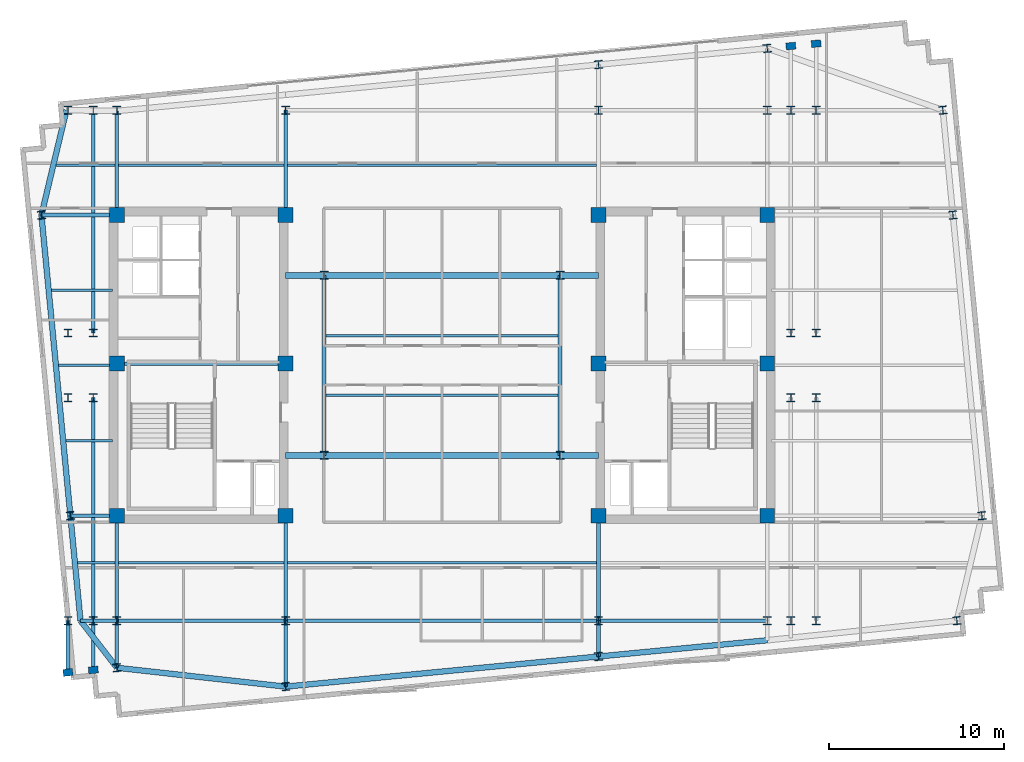
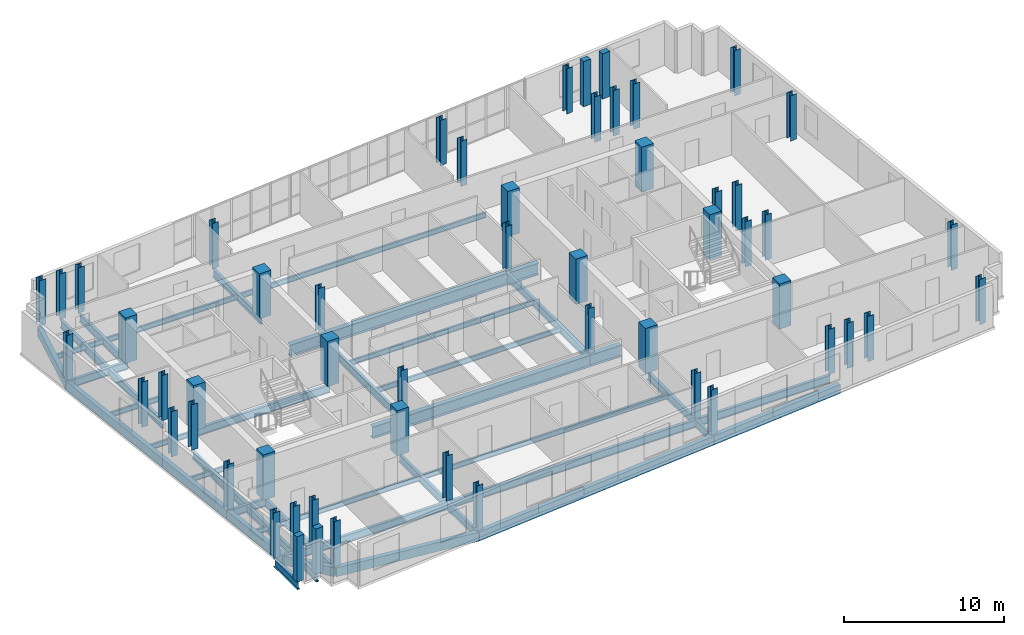
# One storey, part 1 of 11: 55 columns, 45 beams.
"""IFC4 building model written with IfcOpenShell, lengths in metres."""

import ifcopenshell
import ifcopenshell.guid

model = None  # the IFC model being written
_history = None  # IfcOwnerHistory: only IFC2X3 demands one
_inside = {}  # id of a spatial element -> (the spatial element, [elements in it])
_under = {}  # id of a project, library or spatial element -> (it, [spatial elements below it])
_declared = {}  # id of a project -> (the project, [libraries it declares])
_typed = {}  # id of a type object -> (the type object, [elements of that type])
_made_of = {}  # id of a material, layer set ... -> (it, [elements and type objects made of it])


def new_model(schema):
    """Start an empty IFC model of exactly this schema.

    Asked for "IFC4X3", IfcOpenShell would pick the latest addendum, in which some entities
    have other attributes; the version numbers below select the first issue.
    IFC2X3 requires an IfcOwnerHistory on every rooted entity: one is made here for all.
    """
    global model, _history
    if schema == "IFC4X3":
        model = ifcopenshell.file(schema_version=(4, 3, 0, 0))
    else:
        model = ifcopenshell.file(schema=schema)
    _inside.clear()
    _under.clear()
    _declared.clear()
    _typed.clear()
    _made_of.clear()
    _history = None
    if model.schema == "IFC2X3":
        org = make("IfcOrganization", Name="unknown")
        user = make(
            "IfcPersonAndOrganization",
            ThePerson=make("IfcPerson", FamilyName="unknown"),
            TheOrganization=org,
        )
        app = make(
            "IfcApplication",
            ApplicationDeveloper=org,
            Version="unknown",
            ApplicationFullName="unknown",
            ApplicationIdentifier="unknown",
        )
        _history = make(
            "IfcOwnerHistory",
            OwningUser=user,
            OwningApplication=app,
            ChangeAction="ADDED",
            CreationDate=0,
        )
    return model


def make(cls, **values):
    """One entity of the class cls with the attributes given. An attribute that is None is left unset."""
    return model.create_entity(
        cls, **{name: value for name, value in values.items() if value is not None}
    )


def rooted(cls, **values):
    """An entity with a GlobalId (a new one), such as an element, a storey or a relation."""
    return make(cls, GlobalId=ifcopenshell.guid.new(), OwnerHistory=_history, **values)


def si_unit(unit_type, name, prefix=None):
    """IfcSIUnit, for example si_unit("LENGTHUNIT", "METRE", prefix="MILLI")."""
    return make("IfcSIUnit", UnitType=unit_type, Prefix=prefix, Name=name)


def assignment(units):
    """IfcUnitAssignment: the units of a project."""
    return None if units is None else make("IfcUnitAssignment", Units=units)


def point(xyz):
    """IfcCartesianPoint."""
    return None if xyz is None else make("IfcCartesianPoint", Coordinates=xyz)


def direction(xyz):
    """IfcDirection."""
    return None if xyz is None else make("IfcDirection", DirectionRatios=xyz)


def frame(location, z_axis=None, x_axis=None):
    """IfcAxis2Placement3D, a coordinate frame: its origin and axes. An axis left out is left unset."""
    return make(
        "IfcAxis2Placement3D",
        Location=point(location),
        Axis=direction(z_axis),
        RefDirection=direction(x_axis),
    )


def frame_2d(location, x_axis=None):
    """IfcAxis2Placement2D, a coordinate frame in the plane: its origin and x axis."""
    return make(
        "IfcAxis2Placement2D", Location=point(location), RefDirection=direction(x_axis)
    )


def origin():
    """The frame at (0, 0, 0) with its axes left unset."""
    return frame((0.0, 0.0, 0.0))


def origin_2d():
    """The frame at (0, 0) in the plane with its x axis left unset."""
    return frame_2d((0.0, 0.0))


def place(relative_to, where):
    """IfcLocalPlacement: puts the frame where relative to a parent placement (None: the world)."""
    return make(
        "IfcLocalPlacement", PlacementRelTo=relative_to, RelativePlacement=where
    )


def context(
    kind, dimensions, precision=None, world=None, true_north=None, identifier=None
):
    """IfcGeometricRepresentationContext, for example the 3D "Model" context."""
    return make(
        "IfcGeometricRepresentationContext",
        ContextIdentifier=identifier,
        ContextType=kind,
        CoordinateSpaceDimension=dimensions,
        Precision=precision,
        WorldCoordinateSystem=world,
        TrueNorth=true_north,
    )


def subcontext(parent, identifier, kind, view, scale=None):
    """IfcGeometricRepresentationSubContext, for example "Body" below "Model"."""
    return make(
        "IfcGeometricRepresentationSubContext",
        ContextIdentifier=identifier,
        ContextType=kind,
        ParentContext=parent,
        TargetScale=scale,
        TargetView=view,
    )


def project(units=None, contexts=None):
    """IfcProject with its units and contexts."""
    return rooted(
        "IfcProject",
        Name="project",
        RepresentationContexts=contexts,
        UnitsInContext=assignment(units),
    )


def spatial(cls, under=None, at=None, **own):
    """A site, building, storey or space (cls), placed at a placement, below another one or the project."""
    s = rooted(cls, ObjectPlacement=at, **own)
    if under is not None:
        _under.setdefault(under.id(), (under, []))[1].append(s)
    return s


def profile(cls, at=None, kind="AREA", **sizes):
    """A parametric profile (cls). Its sizes go by their IFC names, for example OverallWidth=200.0."""
    return make(cls, ProfileType=kind, Position=at, **sizes)


def rectangle(**sizes):
    """IfcRectangleProfileDef."""
    return profile("IfcRectangleProfileDef", **sizes)


def i_section(**sizes):
    """IfcIShapeProfileDef."""
    return profile("IfcIShapeProfileDef", **sizes)


def extrude(swept, where, along, depth):
    """IfcExtrudedAreaSolid: the profile swept, set in the frame where, extruded along a direction by depth."""
    return make(
        "IfcExtrudedAreaSolid",
        SweptArea=swept,
        Position=where,
        ExtrudedDirection=direction(along),
        Depth=depth,
    )


def shape(context_of_items, identifier, shape_type, items):
    """IfcShapeRepresentation: the items that make up one representation, for example the "Body"."""
    return make(
        "IfcShapeRepresentation",
        ContextOfItems=context_of_items,
        RepresentationIdentifier=identifier,
        RepresentationType=shape_type,
        Items=items,
    )


def material(Name=None, Category=None):
    """IfcMaterial."""
    return make("IfcMaterial", Name=Name, Category=Category)


def material_profile(
    of_material, cross_section, Name=None, Category=None, Priority=None
):
    """IfcMaterialProfile: a cross section and its material."""
    return make(
        "IfcMaterialProfile",
        Name=Name,
        Material=of_material,
        Profile=cross_section,
        Priority=Priority,
        Category=Category,
    )


def profile_set(profiles, Name=None, composite=None):
    """IfcMaterialProfileSet."""
    return make(
        "IfcMaterialProfileSet",
        Name=Name,
        MaterialProfiles=profiles,
        CompositeProfile=composite,
    )


def made_of(thing, what):
    """Note that an element or type object is made of a material, layer set ...; save() writes the relation."""
    if what is not None:
        _made_of.setdefault(what.id(), (what, []))[1].append(thing)
    return thing


def type_object(cls, material=None, **own):
    """A type object (cls), such as IfcWallType, which elements share."""
    return made_of(rooted(cls, **own), material)


def element(
    cls,
    number,
    at=None,
    inside=None,
    cuts=None,
    type_object=None,
    material=None,
    context=None,
    identifier="Body",
    shape_type=None,
    held_by="IfcProductDefinitionShape",
    body=None,
    shapes=None,
    **own,
):
    """One element of the class cls, such as IfcWall. Its Tag is "e" and its number.

    at: its placement. inside: the storey or other place that contains it. cuts: it is an
    opening in that element (IfcRelVoidsElement). A single representation is given by context,
    identifier, shape_type and body (its items); several are given by shapes. held_by: the class
    of the entity that holds the representations. save() writes the other relations.
    """
    e = rooted(cls, Tag="e%d" % number, ObjectPlacement=at, **own)
    if body is not None:
        shapes = [shape(context, identifier, shape_type, body)]
    if shapes is not None:
        e.Representation = make(held_by, Representations=shapes)
    if inside is not None:
        _inside.setdefault(inside.id(), (inside, []))[1].append(e)
    if cuts is not None:
        rooted(
            "IfcRelVoidsElement", RelatingBuildingElement=cuts, RelatedOpeningElement=e
        )
    if type_object is not None:
        _typed.setdefault(type_object.id(), (type_object, []))[1].append(e)
    return made_of(e, material)


def aggregate(whole, parts):
    """IfcRelAggregates: a whole, such as a stair, and the parts it consists of."""
    return rooted("IfcRelAggregates", RelatingObject=whole, RelatedObjects=parts)


def save(model, path):
    """Write the relations noted so far, then the file.

    IfcRelAggregates (storeys below a building ...), IfcRelContainedInSpatialStructure (elements
    in a storey), IfcRelDefinesByType, IfcRelAssociatesMaterial and IfcRelDeclares: one each for
    every whole, place, type object, material and project.
    """
    for whole, parts in _under.values():
        aggregate(whole, parts)
    for where, things in _inside.values():
        rooted(
            "IfcRelContainedInSpatialStructure",
            RelatedElements=things,
            RelatingStructure=where,
        )
    for kind, things in _typed.values():
        rooted("IfcRelDefinesByType", RelatedObjects=things, RelatingType=kind)
    for what, things in _made_of.values():
        rooted("IfcRelAssociatesMaterial", RelatedObjects=things, RelatingMaterial=what)
    for by, libraries in _declared.values():
        rooted("IfcRelDeclares", RelatingContext=by, RelatedDefinitions=libraries)
    model.write(path)


model = new_model("IFC4")

# Units and contexts
model_context = context("Model", 3, precision=1e-05, world=origin(), true_north=direction((0.0, 1.0)))
body_context = subcontext(model_context, "Body", "Model", "MODEL_VIEW")
ifc_project = project(units=[si_unit("LENGTHUNIT", "METRE"), si_unit("AREAUNIT", "SQUARE_METRE"), si_unit("VOLUMEUNIT", "CUBIC_METRE"), si_unit("PLANEANGLEUNIT", "RADIAN"), si_unit("MASSUNIT", "GRAM", prefix="KILO")], contexts=[model_context])

# Site, building, storey
site_placement = place(None, origin())
site = spatial("IfcSite", under=ifc_project, at=site_placement, CompositionType="ELEMENT")
building_placement = place(site_placement, origin())
building = spatial("IfcBuilding", under=site, at=building_placement, Name="Velakula Bourse", CompositionType="ELEMENT")
storey_placement = place(building_placement, frame((0.0, 0.0, 279.300048828125)))
storey = spatial("IfcBuildingStorey", under=building, at=storey_placement, Name="L76", CompositionType="ELEMENT", Elevation=279.300048828125)

# Columns
ifc_material_1 = material(Name="Concrete M50 (fck 50 MPa)", Category="concrete")
ifc_material_profile_1 = material_profile(ifc_material_1, rectangle(XDim=0.85009765625, YDim=0.85009765625, at=origin_2d()), Name="Concrete M50 (fck 50 MPa)")
ifc_profile_set_1 = profile_set([ifc_material_profile_1], Name="Concrete M50 (fck 50 MPa)")
column_type_1 = type_object("IfcColumnType", Name="COL-RC-850", PredefinedType="COLUMN", material=ifc_profile_set_1)
for number, where, z_axis, x_axis, name in (
    (1, (-8.949951171875, -8.60009765625, 0.0), (0.0, 0.0, 1.0), (1.0, 0.0, 0.0), "L76 Core Boundary Column 01"),
    (2, (-8.949951171875, 0.10009765625, 0.0), (0.0, 0.0, 1.0), (1.0, 0.0, 0.0), "L76 Core Boundary Column 02"),
    (3, (-8.949951171875, 8.60009765625, 0.0), (0.0, 0.0, 1.0), (1.0, 0.0, 0.0), "L76 Core Boundary Column 03"),
    (4, (-18.60009765625, -8.60009765625, 0.0), (0.0, 0.0, 1.0), (1.0, 0.0, 0.0), "L76 Core Boundary Column 04"),
    (5, (-18.60009765625, 0.10009765625, 0.0), (0.0, 0.0, 1.0), (1.0, 0.0, 0.0), "L76 Core Boundary Column 05"),
    (6, (-18.60009765625, 8.60009765625, 0.0), (0.0, 0.0, 1.0), (1.0, 0.0, 0.0), "L76 Core Boundary Column 06"),
    (7, (8.949951171875, -8.60009765625, 0.0), (0.0, 0.0, 1.0), (1.0, 0.0, 0.0), "L76 Core Boundary Column 07"),
    (8, (8.949951171875, 0.10009765625, 0.0), (0.0, 0.0, 1.0), (1.0, 0.0, 0.0), "L76 Core Boundary Column 08"),
    (9, (8.949951171875, 8.60009765625, 0.0), (0.0, 0.0, 1.0), (1.0, 0.0, 0.0), "L76 Core Boundary Column 09"),
    (10, (18.60009765625, -8.60009765625, 0.0), (0.0, 0.0, 1.0), (1.0, 0.0, 0.0), "L76 Core Boundary Column 10"),
    (11, (18.60009765625, 0.10009765625, 0.0), (0.0, 0.0, 1.0), (1.0, 0.0, 0.0), "L76 Core Boundary Column 11"),
    (12, (18.60009765625, 8.60009765625, 0.0), (0.0, 0.0, 1.0), (1.0, 0.0, 0.0), "L76 Core Boundary Column 12"),
):
    element("IfcColumn", number, at=place(storey_placement, frame(where, z_axis=z_axis, x_axis=x_axis)), inside=storey, type_object=column_type_1, Name=name, PredefinedType="COLUMN", context=body_context, shape_type="SweptSolid", body=[
        extrude(rectangle(XDim=0.85009765625, YDim=0.85009765625, at=origin_2d()), origin(), (0.0, 0.0, 1.0), 3.449951171875),
    ])
ifc_material_2 = material(Name="Steel IS 2062 Grade 350 (E350)", Category="steel")
ifc_material_profile_2 = material_profile(ifc_material_2, i_section(OverallWidth=0.449951171875, OverallDepth=0.449951171875, WebThickness=0.02197265625, FlangeThickness=0.031982421875, at=origin_2d()), Name="Steel IS 2062 Grade 350 (E350)")
ifc_profile_set_2 = profile_set([ifc_material_profile_2], Name="Steel IS 2062 Grade 350 (E350)")
column_type_2 = type_object("IfcColumnType", Name="COL-STL-450", PredefinedType="COLUMN", material=ifc_profile_set_2)
for number, where, z_axis, x_axis, name in (
    (13, (-6.75, -5.14990234375, 0.0), (0.0, 0.0, 1.0), (1.0, 0.0, 0.0), "L76 Central Spine Column 01"),
    (14, (-6.75, 5.14990234375, 0.0), (0.0, 0.0, 1.0), (1.0, 0.0, 0.0), "L76 Central Spine Column 02"),
    (15, (6.75, -5.14990234375, 0.0), (0.0, 0.0, 1.0), (1.0, 0.0, 0.0), "L76 Central Spine Column 03"),
    (16, (6.75, 5.14990234375, 0.0), (0.0, 0.0, 1.0), (1.0, 0.0, 0.0), "L76 Central Spine Column 04"),
    (17, (-21.39990234375, -14.60009765625, 0.0), (0.0, 0.0, 1.0), (1.0, 0.0, 0.0), "L76 Tower Fulcrum Column 01"),
    (18, (-21.39990234375, 14.60009765625, 0.0), (0.0, 0.0, 1.0), (1.0, 0.0, 0.0), "L76 Tower Fulcrum Column 02"),
    (19, (-19.949951171875, -14.60009765625, 0.0), (0.0, 0.0, 1.0), (1.0, 0.0, 0.0), "L76 Tower Fulcrum Column 03"),
    (20, (-19.949951171875, 14.60009765625, 0.0), (0.0, 0.0, 1.0), (1.0, 0.0, 0.0), "L76 Tower Fulcrum Column 04"),
    (21, (-18.60009765625, -14.60009765625, 0.0), (0.0, 0.0, 1.0), (1.0, 0.0, 0.0), "L76 Tower Fulcrum Column 05"),
    (22, (-18.60009765625, 14.60009765625, 0.0), (0.0, 0.0, 1.0), (1.0, 0.0, 0.0), "L76 Tower Fulcrum Column 06"),
    (23, (-8.949951171875, -14.60009765625, 0.0), (0.0, 0.0, 1.0), (1.0, 0.0, 0.0), "L76 Tower Fulcrum Column 07"),
    (24, (-8.949951171875, 14.60009765625, 0.0), (0.0, 0.0, 1.0), (1.0, 0.0, 0.0), "L76 Tower Fulcrum Column 08"),
    (25, (8.949951171875, -14.60009765625, 0.0), (0.0, 0.0, 1.0), (1.0, 0.0, 0.0), "L76 Tower Fulcrum Column 09"),
    (26, (8.949951171875, 14.60009765625, 0.0), (0.0, 0.0, 1.0), (1.0, 0.0, 0.0), "L76 Tower Fulcrum Column 10"),
    (27, (18.60009765625, -14.60009765625, 0.0), (0.0, 0.0, 1.0), (1.0, 0.0, 0.0), "L76 Tower Fulcrum Column 11"),
    (28, (18.60009765625, 14.60009765625, 0.0), (0.0, 0.0, 1.0), (1.0, 0.0, 0.0), "L76 Tower Fulcrum Column 12"),
    (29, (19.949951171875, -14.60009765625, 0.0), (0.0, 0.0, 1.0), (1.0, 0.0, 0.0), "L76 Tower Fulcrum Column 13"),
    (30, (19.949951171875, 14.60009765625, 0.0), (0.0, 0.0, 1.0), (1.0, 0.0, 0.0), "L76 Tower Fulcrum Column 14"),
    (31, (21.39990234375, -14.60009765625, 0.0), (0.0, 0.0, 1.0), (1.0, 0.0, 0.0), "L76 Tower Fulcrum Column 15"),
    (32, (21.39990234375, 14.60009765625, 0.0), (0.0, 0.0, 1.0), (1.0, 0.0, 0.0), "L76 Tower Fulcrum Column 16"),
    (33, (-21.39990234375, -1.85009765625, 0.0), (0.0, 0.0, 1.0), (1.0, 0.0, 0.0), "L76 Tower Fulcrum Column 17"),
    (34, (-21.39990234375, 1.85009765625, 0.0), (0.0, 0.0, 1.0), (1.0, 0.0, 0.0), "L76 Tower Fulcrum Column 18"),
    (35, (-19.949951171875, -1.85009765625, 0.0), (0.0, 0.0, 1.0), (1.0, 0.0, 0.0), "L76 Tower Fulcrum Column 19"),
    (36, (-19.949951171875, 1.85009765625, 0.0), (0.0, 0.0, 1.0), (1.0, 0.0, 0.0), "L76 Tower Fulcrum Column 20"),
    (37, (19.949951171875, -1.85009765625, 0.0), (0.0, 0.0, 1.0), (1.0, 0.0, 0.0), "L76 Tower Fulcrum Column 21"),
    (38, (19.949951171875, 1.85009765625, 0.0), (0.0, 0.0, 1.0), (1.0, 0.0, 0.0), "L76 Tower Fulcrum Column 22"),
    (39, (21.39990234375, -1.85009765625, 0.0), (0.0, 0.0, 1.0), (1.0, 0.0, 0.0), "L76 Tower Fulcrum Column 23"),
    (40, (21.39990234375, 1.85009765625, 0.0), (0.0, 0.0, 1.0), (1.0, 0.0, 0.0), "L76 Tower Fulcrum Column 24"),
    (41, (-18.60009765625, -17.294921875, 0.0), (0.0, 0.0, 1.0), (0.995396198367, 0.09584575252, 0.0), "L76 Block B6 Perimeter Column S1"),
    (42, (-8.949951171875, -18.375, 0.0), (0.0, 0.0, 1.0), (0.995396198367, 0.09584575252, 0.0), "L76 Block B6 Perimeter Column S2"),
    (43, (8.949951171875, -16.6513671875, 0.0), (0.0, 0.0, 1.0), (0.995396198367, 0.09584575252, 0.0), "L76 Block B6 Perimeter Column S3"),
    (44, (8.949951171875, 17.20458984375, 0.0), (0.0, 0.0, 1.0), (0.995396198367, 0.09584575252, 0.0), "L76 Block B6 Perimeter Column N3"),
    (45, (18.60009765625, 18.1337890625, 0.0), (0.0, 0.0, 1.0), (0.995396198367, 0.09584575252, 0.0), "L76 Block B6 Perimeter Column N4"),
    (46, (-21.26123046875, -8.60009765625, 0.0), (0.0, 0.0, 1.0), (0.995396198367, 0.09584575252, 0.0), "L76 Block B6 Perimeter Column W2"),
    (47, (-22.91748046875, 8.60009765625, 0.0), (0.0, 0.0, 1.0), (0.995396198367, 0.09584575252, 0.0), "L76 Block B6 Perimeter Column W3"),
    (48, (29.447265625, -14.60009765625, 0.0), (0.0, 0.0, 1.0), (0.995396198367, 0.09584575252, 0.0), "L76 Block B6 Perimeter Column E1"),
    (49, (30.87890625, -8.60009765625, 0.0), (0.0, 0.0, 1.0), (0.995396198367, 0.09584575252, 0.0), "L76 Block B6 Perimeter Column E2"),
    (50, (29.22265625, 8.60009765625, 0.0), (0.0, 0.0, 1.0), (0.995396198367, 0.09584575252, 0.0), "L76 Block B6 Perimeter Column E3"),
    (51, (28.64501953125, 14.60009765625, 0.0), (0.0, 0.0, 1.0), (0.995396198367, 0.09584575252, 0.0), "L76 Block B6 Perimeter Column E4"),
):
    element("IfcColumn", number, at=place(storey_placement, frame(where, z_axis=z_axis, x_axis=x_axis)), inside=storey, type_object=column_type_2, Name=name, PredefinedType="COLUMN", context=body_context, shape_type="SweptSolid", body=[
        extrude(i_section(OverallWidth=0.449951171875, OverallDepth=0.449951171875, WebThickness=0.02197265625, FlangeThickness=0.031982421875, at=origin_2d()), origin(), (0.0, 0.0, 1.0), 3.449951171875),
    ])
ifc_material_3 = material(Name="Precast concrete M45 (fck 45 MPa)", Category="concrete")
ifc_material_profile_3 = material_profile(ifc_material_3, rectangle(XDim=0.550048828125, YDim=0.39990234375, at=origin_2d()), Name="Precast concrete M45 (fck 45 MPa)")
ifc_profile_set_3 = profile_set([ifc_material_profile_3], Name="Precast concrete M45 (fck 45 MPa)")
column_type_3 = type_object("IfcColumnType", Name="PIL-BRICK-550", PredefinedType="PILASTER", material=ifc_profile_set_3)
for number, where, z_axis, x_axis, name in (
    (52, (-21.39990234375, -17.564453125, 0.0), (0.0, 0.0, 1.0), (0.995396198367, 0.09584575252, 0.0), "L76 Brick Pier Pilaster 01"),
    (53, (-19.949951171875, -17.4248046875, 0.0), (0.0, 0.0, 1.0), (0.995396198367, 0.09584575252, 0.0), "L76 Brick Pier Pilaster 02"),
    (54, (19.949951171875, 18.263671875, 0.0), (0.0, 0.0, 1.0), (0.995396198367, 0.09584575252, 0.0), "L76 Brick Pier Pilaster 07"),
    (55, (21.39990234375, 18.4033203125, 0.0), (0.0, 0.0, 1.0), (0.995396198367, 0.09584575252, 0.0), "L76 Brick Pier Pilaster 08"),
):
    element("IfcColumn", number, at=place(storey_placement, frame(where, z_axis=z_axis, x_axis=x_axis)), inside=storey, type_object=column_type_3, Name=name, PredefinedType="PILASTER", context=body_context, shape_type="SweptSolid", body=[
        extrude(rectangle(XDim=0.550048828125, YDim=0.39990234375, at=origin_2d()), origin(), (0.0, 0.0, 1.0), 3.449951171875),
    ])

# Beams
ifc_material_profile_4 = material_profile(ifc_material_2, i_section(OverallWidth=0.2099609375, OverallDepth=0.60009765625, WebThickness=0.011962890625, FlangeThickness=0.020751953125, at=origin_2d()), Name="Steel IS 2062 Grade 350 (E350)")
ifc_profile_set_4 = profile_set([ifc_material_profile_4], Name="Steel IS 2062 Grade 350 (E350)")
beam_type_1 = type_object("IfcBeamType", Name="BM-GRD-600L", PredefinedType="BEAM", material=ifc_profile_set_4)
beam_1_placement = place(storey_placement, frame((-18.60009765625, 0.10009765625, -0.47998046875), z_axis=(1.0, 0.0, 0.0), x_axis=(0.0, 1.0, 0.0)))
element("IfcBeam", 56, at=beam_1_placement, inside=storey, type_object=beam_type_1, Name="L76 Primary Backbone Girder CRW-M", PredefinedType="BEAM", context=body_context, shape_type="SweptSolid", body=[
    extrude(i_section(OverallWidth=0.2099609375, OverallDepth=0.60009765625, WebThickness=0.011962890625, FlangeThickness=0.020751953125, at=origin_2d()), origin(), (0.0, 0.0, 1.0), 9.650146484375),
])
for number, where, z_axis, x_axis, name in (
    (57, (-6.75, -5.14990234375, -0.47998046875), (0.0, 1.0, 0.0), (-1.0, 0.0, 0.0), "L76 Primary Backbone Girder SPN-W"),
    (58, (6.75, -5.14990234375, -0.47998046875), (0.0, 1.0, 0.0), (-1.0, 0.0, 0.0), "L76 Primary Backbone Girder SPN-E"),
):
    element("IfcBeam", number, at=place(storey_placement, frame(where, z_axis=z_axis, x_axis=x_axis)), inside=storey, type_object=beam_type_1, Name=name, PredefinedType="BEAM", context=body_context, shape_type="SweptSolid", body=[
        extrude(i_section(OverallWidth=0.2099609375, OverallDepth=0.60009765625, WebThickness=0.011962890625, FlangeThickness=0.020751953125, at=origin_2d()), origin(), (0.0, 0.0, 1.0), 10.2998046875),
    ])
beam_2_placement = place(storey_placement, frame((-18.60009765625, -14.60009765625, -0.47998046875), z_axis=(0.0, 1.0, 0.0), x_axis=(-1.0, 0.0, 0.0)))
element("IfcBeam", 59, at=beam_2_placement, inside=storey, type_object=beam_type_1, Name="L76 Fulcrum Grid Girder FLC-WS", PredefinedType="BEAM", context=body_context, shape_type="SweptSolid", body=[
    extrude(i_section(OverallWidth=0.2099609375, OverallDepth=0.60009765625, WebThickness=0.011962890625, FlangeThickness=0.020751953125, at=origin_2d()), origin(), (0.0, 0.0, 1.0), 6.0),
])
beam_3_placement = place(storey_placement, frame((-18.60009765625, 8.60009765625, -0.47998046875), z_axis=(0.0, 1.0, 0.0), x_axis=(-1.0, 0.0, 0.0)))
element("IfcBeam", 60, at=beam_3_placement, inside=storey, type_object=beam_type_1, Name="L76 Fulcrum Grid Girder FLC-WN", PredefinedType="BEAM", context=body_context, shape_type="SweptSolid", body=[
    extrude(i_section(OverallWidth=0.2099609375, OverallDepth=0.60009765625, WebThickness=0.011962890625, FlangeThickness=0.020751953125, at=origin_2d()), origin(), (0.0, 0.0, 1.0), 5.95166015625),
])
for number, where, z_axis, x_axis, name in (
    (61, (-8.949951171875, -14.60009765625, -0.47998046875), (0.0, 1.0, 0.0), (-1.0, 0.0, 0.0), "L76 Fulcrum Grid Girder FLC-WCS"),
    (62, (-8.949951171875, 8.60009765625, -0.47998046875), (0.0, 1.0, 0.0), (-1.0, 0.0, 0.0), "L76 Fulcrum Grid Girder FLC-WCN"),
    (63, (8.949951171875, -14.60009765625, -0.47998046875), (0.0, 1.0, 0.0), (-1.0, 0.0, 0.0), "L76 Fulcrum Grid Girder FLC-ECS"),
):
    element("IfcBeam", number, at=place(storey_placement, frame(where, z_axis=z_axis, x_axis=x_axis)), inside=storey, type_object=beam_type_1, Name=name, PredefinedType="BEAM", context=body_context, shape_type="SweptSolid", body=[
        extrude(i_section(OverallWidth=0.2099609375, OverallDepth=0.60009765625, WebThickness=0.011962890625, FlangeThickness=0.020751953125, at=origin_2d()), origin(), (0.0, 0.0, 1.0), 6.0),
    ])
beam_4_placement = place(storey_placement, frame((-18.60009765625, -14.60009765625, -0.47998046875), z_axis=(1.0, 0.0, 0.0), x_axis=(0.0, 1.0, 0.0)))
element("IfcBeam", 64, at=beam_4_placement, inside=storey, type_object=beam_type_1, Name="L76 Fulcrum Grid Girder FLC-S1", PredefinedType="BEAM", context=body_context, shape_type="SweptSolid", body=[
    extrude(i_section(OverallWidth=0.2099609375, OverallDepth=0.60009765625, WebThickness=0.011962890625, FlangeThickness=0.020751953125, at=origin_2d()), origin(), (0.0, 0.0, 1.0), 9.650146484375),
])
beam_5_placement = place(storey_placement, frame((-8.949951171875, -14.60009765625, -0.47998046875), z_axis=(1.0, 0.0, 0.0), x_axis=(0.0, 1.0, 0.0)))
element("IfcBeam", 65, at=beam_5_placement, inside=storey, type_object=beam_type_1, Name="L76 Fulcrum Grid Girder FLC-S2", PredefinedType="BEAM", context=body_context, shape_type="SweptSolid", body=[
    extrude(i_section(OverallWidth=0.2099609375, OverallDepth=0.60009765625, WebThickness=0.011962890625, FlangeThickness=0.020751953125, at=origin_2d()), origin(), (0.0, 0.0, 1.0), 17.89990234375),
])
beam_6_placement = place(storey_placement, frame((8.949951171875, -14.60009765625, -0.47998046875), z_axis=(1.0, 0.0, 0.0), x_axis=(0.0, 1.0, 0.0)))
element("IfcBeam", 66, at=beam_6_placement, inside=storey, type_object=beam_type_1, Name="L76 Fulcrum Grid Girder FLC-S3", PredefinedType="BEAM", context=body_context, shape_type="SweptSolid", body=[
    extrude(i_section(OverallWidth=0.2099609375, OverallDepth=0.60009765625, WebThickness=0.011962890625, FlangeThickness=0.020751953125, at=origin_2d()), origin(), (0.0, 0.0, 1.0), 9.650146484375),
])
beam_7_placement = place(storey_placement, frame((-19.949951171875, -14.60009765625, -0.47998046875), z_axis=(0.0, 1.0, 0.0), x_axis=(-1.0, 0.0, 0.0)))
element("IfcBeam", 67, at=beam_7_placement, inside=storey, type_object=beam_type_1, Name="L76 Fulcrum Grid Girder FLC-PSW2", PredefinedType="BEAM", context=body_context, shape_type="SweptSolid", body=[
    extrude(i_section(OverallWidth=0.2099609375, OverallDepth=0.60009765625, WebThickness=0.011962890625, FlangeThickness=0.020751953125, at=origin_2d()), origin(), (0.0, 0.0, 1.0), 12.75),
])
beam_8_placement = place(storey_placement, frame((-19.949951171875, 1.85009765625, -0.47998046875), z_axis=(0.0, 1.0, 0.0), x_axis=(-1.0, 0.0, 0.0)))
element("IfcBeam", 68, at=beam_8_placement, inside=storey, type_object=beam_type_1, Name="L76 Fulcrum Grid Girder FLC-PNW2", PredefinedType="BEAM", context=body_context, shape_type="SweptSolid", body=[
    extrude(i_section(OverallWidth=0.2099609375, OverallDepth=0.60009765625, WebThickness=0.011962890625, FlangeThickness=0.020751953125, at=origin_2d()), origin(), (0.0, 0.0, 1.0), 12.72412109375),
])
beam_9_placement = place(storey_placement, frame((-18.60009765625, -14.60009765625, -0.47998046875), z_axis=(0.0, -1.0, 0.0), x_axis=(1.0, 0.0, 0.0)))
element("IfcBeam", 69, at=beam_9_placement, inside=storey, type_object=beam_type_1, Name="L76 Perimeter Tie Girder S1", PredefinedType="BEAM", context=body_context, shape_type="SweptSolid", body=[
    extrude(i_section(OverallWidth=0.2099609375, OverallDepth=0.60009765625, WebThickness=0.011962890625, FlangeThickness=0.020751953125, at=origin_2d()), origin(), (0.0, 0.0, 1.0), 2.69482421875),
])
beam_10_placement = place(storey_placement, frame((-8.949951171875, -14.60009765625, -0.47998046875), z_axis=(0.0, -1.0, 0.0), x_axis=(1.0, 0.0, 0.0)))
element("IfcBeam", 70, at=beam_10_placement, inside=storey, type_object=beam_type_1, Name="L76 Perimeter Tie Girder S2", PredefinedType="BEAM", context=body_context, shape_type="SweptSolid", body=[
    extrude(i_section(OverallWidth=0.2099609375, OverallDepth=0.60009765625, WebThickness=0.011962890625, FlangeThickness=0.020751953125, at=origin_2d()), origin(), (0.0, 0.0, 1.0), 3.77490234375),
])
beam_11_placement = place(storey_placement, frame((8.949951171875, -14.60009765625, -0.47998046875), z_axis=(0.0, -1.0, 0.0), x_axis=(1.0, 0.0, 0.0)))
element("IfcBeam", 71, at=beam_11_placement, inside=storey, type_object=beam_type_1, Name="L76 Perimeter Tie Girder S3", PredefinedType="BEAM", context=body_context, shape_type="SweptSolid", body=[
    extrude(i_section(OverallWidth=0.2099609375, OverallDepth=0.60009765625, WebThickness=0.011962890625, FlangeThickness=0.020751953125, at=origin_2d()), origin(), (0.0, 0.0, 1.0), 2.05126953125),
])
beam_12_placement = place(storey_placement, frame((-18.60009765625, -14.60009765625, -0.47998046875), z_axis=(-1.0, 0.0, 0.0), x_axis=(0.0, -1.0, 0.0)))
element("IfcBeam", 72, at=beam_12_placement, inside=storey, type_object=beam_type_1, Name="L76 Perimeter Tie Girder W1", PredefinedType="BEAM", context=body_context, shape_type="SweptSolid", body=[
    extrude(i_section(OverallWidth=0.2099609375, OverallDepth=0.60009765625, WebThickness=0.011962890625, FlangeThickness=0.020751953125, at=origin_2d()), origin(), (0.0, 0.0, 1.0), 2.08349609375),
])
beam_13_placement = place(storey_placement, frame((-18.60009765625, -8.60009765625, -0.47998046875), z_axis=(-1.0, 0.0, 0.0), x_axis=(0.0, -1.0, 0.0)))
element("IfcBeam", 73, at=beam_13_placement, inside=storey, type_object=beam_type_1, Name="L76 Perimeter Tie Girder W2", PredefinedType="BEAM", context=body_context, shape_type="SweptSolid", body=[
    extrude(i_section(OverallWidth=0.2099609375, OverallDepth=0.60009765625, WebThickness=0.011962890625, FlangeThickness=0.020751953125, at=origin_2d()), origin(), (0.0, 0.0, 1.0), 2.6611328125),
])
beam_14_placement = place(storey_placement, frame((-18.60009765625, 8.60009765625, -0.47998046875), z_axis=(-1.0, 0.0, 0.0), x_axis=(0.0, -1.0, 0.0)))
element("IfcBeam", 74, at=beam_14_placement, inside=storey, type_object=beam_type_1, Name="L76 Perimeter Tie Girder W3", PredefinedType="BEAM", context=body_context, shape_type="SweptSolid", body=[
    extrude(i_section(OverallWidth=0.2099609375, OverallDepth=0.60009765625, WebThickness=0.011962890625, FlangeThickness=0.020751953125, at=origin_2d()), origin(), (0.0, 0.0, 1.0), 4.3173828125),
])
beam_15_placement = place(storey_placement, frame((-21.39990234375, -14.60009765625, -0.47998046875), z_axis=(0.0, -1.0, 0.0), x_axis=(1.0, 0.0, 0.0)))
element("IfcBeam", 75, at=beam_15_placement, inside=storey, type_object=beam_type_1, Name="L76 Perimeter Tie Girder P01", PredefinedType="BEAM", context=body_context, shape_type="SweptSolid", body=[
    extrude(i_section(OverallWidth=0.2099609375, OverallDepth=0.60009765625, WebThickness=0.011962890625, FlangeThickness=0.020751953125, at=origin_2d()), origin(), (0.0, 0.0, 1.0), 2.96435546875),
])
beam_16_placement = place(storey_placement, frame((-19.949951171875, -14.60009765625, -0.47998046875), z_axis=(0.0, -1.0, 0.0), x_axis=(1.0, 0.0, 0.0)))
element("IfcBeam", 76, at=beam_16_placement, inside=storey, type_object=beam_type_1, Name="L76 Perimeter Tie Girder P02", PredefinedType="BEAM", context=body_context, shape_type="SweptSolid", body=[
    extrude(i_section(OverallWidth=0.2099609375, OverallDepth=0.60009765625, WebThickness=0.011962890625, FlangeThickness=0.020751953125, at=origin_2d()), origin(), (0.0, 0.0, 1.0), 2.82470703125),
])
ifc_material_profile_5 = material_profile(ifc_material_2, i_section(OverallWidth=0.35009765625, OverallDepth=0.89990234375, WebThickness=0.02001953125, FlangeThickness=0.031982421875, at=origin_2d()), Name="Steel IS 2062 Grade 350 (E350)")
ifc_profile_set_5 = profile_set([ifc_material_profile_5], Name="Steel IS 2062 Grade 350 (E350)")
beam_type_2 = type_object("IfcBeamType", Name="BM-LNK-900", PredefinedType="BEAM", material=ifc_profile_set_5)
beam_17_placement = place(storey_placement, frame((-8.949951171875, -5.14990234375, -0.630126953125), z_axis=(1.0, 0.0, 0.0), x_axis=(0.0, 1.0, 0.0)))
element("IfcBeam", 77, at=beam_17_placement, inside=storey, type_object=beam_type_2, Name="L76 Primary Backbone Girder LNK-S1", PredefinedType="BEAM", context=body_context, shape_type="SweptSolid", body=[
    extrude(i_section(OverallWidth=0.35009765625, OverallDepth=0.89990234375, WebThickness=0.02001953125, FlangeThickness=0.031982421875, at=origin_2d()), origin(), (0.0, 0.0, 1.0), 2.199951171875),
])
beam_18_placement = place(storey_placement, frame((-6.75, -5.14990234375, -0.630126953125), z_axis=(1.0, 0.0, 0.0), x_axis=(0.0, 1.0, 0.0)))
element("IfcBeam", 78, at=beam_18_placement, inside=storey, type_object=beam_type_2, Name="L76 Primary Backbone Girder LNK-S2", PredefinedType="BEAM", context=body_context, shape_type="SweptSolid", body=[
    extrude(i_section(OverallWidth=0.35009765625, OverallDepth=0.89990234375, WebThickness=0.02001953125, FlangeThickness=0.031982421875, at=origin_2d()), origin(), (0.0, 0.0, 1.0), 13.5),
])
for number, where, z_axis, x_axis, name in (
    (79, (6.75, -5.14990234375, -0.630126953125), (1.0, 0.0, 0.0), (0.0, 1.0, 0.0), "L76 Primary Backbone Girder LNK-S3"),
    (80, (-8.949951171875, 5.14990234375, -0.630126953125), (1.0, 0.0, 0.0), (0.0, 1.0, 0.0), "L76 Primary Backbone Girder LNK-N1"),
):
    element("IfcBeam", number, at=place(storey_placement, frame(where, z_axis=z_axis, x_axis=x_axis)), inside=storey, type_object=beam_type_2, Name=name, PredefinedType="BEAM", context=body_context, shape_type="SweptSolid", body=[
        extrude(i_section(OverallWidth=0.35009765625, OverallDepth=0.89990234375, WebThickness=0.02001953125, FlangeThickness=0.031982421875, at=origin_2d()), origin(), (0.0, 0.0, 1.0), 2.199951171875),
    ])
beam_19_placement = place(storey_placement, frame((-6.75, 5.14990234375, -0.630126953125), z_axis=(1.0, 0.0, 0.0), x_axis=(0.0, 1.0, 0.0)))
element("IfcBeam", 81, at=beam_19_placement, inside=storey, type_object=beam_type_2, Name="L76 Primary Backbone Girder LNK-N2", PredefinedType="BEAM", context=body_context, shape_type="SweptSolid", body=[
    extrude(i_section(OverallWidth=0.35009765625, OverallDepth=0.89990234375, WebThickness=0.02001953125, FlangeThickness=0.031982421875, at=origin_2d()), origin(), (0.0, 0.0, 1.0), 13.5),
])
beam_20_placement = place(storey_placement, frame((6.75, 5.14990234375, -0.630126953125), z_axis=(1.0, 0.0, 0.0), x_axis=(0.0, 1.0, 0.0)))
element("IfcBeam", 82, at=beam_20_placement, inside=storey, type_object=beam_type_2, Name="L76 Primary Backbone Girder LNK-N3", PredefinedType="BEAM", context=body_context, shape_type="SweptSolid", body=[
    extrude(i_section(OverallWidth=0.35009765625, OverallDepth=0.89990234375, WebThickness=0.02001953125, FlangeThickness=0.031982421875, at=origin_2d()), origin(), (0.0, 0.0, 1.0), 2.199951171875),
])
ifc_material_profile_6 = material_profile(ifc_material_2, i_section(OverallWidth=0.139892578125, OverallDepth=0.39990234375, WebThickness=0.0087890625, FlangeThickness=0.01611328125, at=origin_2d()), Name="Steel IS 2062 Grade 350 (E350)")
ifc_profile_set_6 = profile_set([ifc_material_profile_6], Name="Steel IS 2062 Grade 350 (E350)")
beam_type_3 = type_object("IfcBeamType", Name="JST-TWR-400", PredefinedType="JOIST", material=ifc_profile_set_6)
beam_21_placement = place(storey_placement, frame((-20.840576171875, -11.300048828125, -0.380126953125), z_axis=(1.0, 0.0, 0.0), x_axis=(0.0, 1.0, 0.0)))
element("IfcBeam", 83, at=beam_21_placement, inside=storey, type_object=beam_type_3, Name="L76 Trading Floor Composite Joist 03", PredefinedType="JOIST", context=body_context, shape_type="SweptSolid", body=[
    extrude(i_section(OverallWidth=0.139892578125, OverallDepth=0.39990234375, WebThickness=0.0087890625, FlangeThickness=0.01611328125, at=origin_2d()), origin(), (0.0, 0.0, 1.0), 2.135498046875),
])
beam_22_placement = place(storey_placement, frame((-18.4951171875, -11.300048828125, -0.380126953125), z_axis=(1.0, 0.0, 0.0), x_axis=(0.0, 1.0, 0.0)))
element("IfcBeam", 84, at=beam_22_placement, inside=storey, type_object=beam_type_3, Name="L76 Trading Floor Composite Joist 04", PredefinedType="JOIST", context=body_context, shape_type="SweptSolid", body=[
    extrude(i_section(OverallWidth=0.139892578125, OverallDepth=0.39990234375, WebThickness=0.0087890625, FlangeThickness=0.01611328125, at=origin_2d()), origin(), (0.0, 0.0, 1.0), 9.440185546875),
])
beam_23_placement = place(storey_placement, frame((-8.844970703125, -11.300048828125, -0.380126953125), z_axis=(1.0, 0.0, 0.0), x_axis=(0.0, 1.0, 0.0)))
element("IfcBeam", 85, at=beam_23_placement, inside=storey, type_object=beam_type_3, Name="L76 Trading Floor Composite Joist 05", PredefinedType="JOIST", context=body_context, shape_type="SweptSolid", body=[
    extrude(i_section(OverallWidth=0.139892578125, OverallDepth=0.39990234375, WebThickness=0.0087890625, FlangeThickness=0.01611328125, at=origin_2d()), origin(), (0.0, 0.0, 1.0), 17.68994140625),
])
beam_24_placement = place(storey_placement, frame((-22.072998046875, 11.449951171875, -0.380126953125), z_axis=(1.0, 0.0, 0.0), x_axis=(0.0, 1.0, 0.0)))
element("IfcBeam", 86, at=beam_24_placement, inside=storey, type_object=beam_type_3, Name="L76 Trading Floor Composite Joist 08", PredefinedType="JOIST", context=body_context, shape_type="SweptSolid", body=[
    extrude(i_section(OverallWidth=0.139892578125, OverallDepth=0.39990234375, WebThickness=0.0087890625, FlangeThickness=0.01611328125, at=origin_2d()), origin(), (0.0, 0.0, 1.0), 3.367919921875),
])
beam_25_placement = place(storey_placement, frame((-18.4951171875, 11.449951171875, -0.380126953125), z_axis=(1.0, 0.0, 0.0), x_axis=(0.0, 1.0, 0.0)))
element("IfcBeam", 87, at=beam_25_placement, inside=storey, type_object=beam_type_3, Name="L76 Trading Floor Composite Joist 09", PredefinedType="JOIST", context=body_context, shape_type="SweptSolid", body=[
    extrude(i_section(OverallWidth=0.139892578125, OverallDepth=0.39990234375, WebThickness=0.0087890625, FlangeThickness=0.01611328125, at=origin_2d()), origin(), (0.0, 0.0, 1.0), 9.440185546875),
])
beam_26_placement = place(storey_placement, frame((-8.844970703125, 11.449951171875, -0.380126953125), z_axis=(1.0, 0.0, 0.0), x_axis=(0.0, 1.0, 0.0)))
element("IfcBeam", 88, at=beam_26_placement, inside=storey, type_object=beam_type_3, Name="L76 Trading Floor Composite Joist 10", PredefinedType="JOIST", context=body_context, shape_type="SweptSolid", body=[
    extrude(i_section(OverallWidth=0.139892578125, OverallDepth=0.39990234375, WebThickness=0.0087890625, FlangeThickness=0.01611328125, at=origin_2d()), origin(), (0.0, 0.0, 1.0), 17.68994140625),
])
for number, where, z_axis, x_axis, name in (
    (89, (-6.64501953125, -1.699951171875, -0.380126953125), (1.0, 0.0, 0.0), (0.0, 1.0, 0.0), "L76 Trading Floor Composite Joist 14"),
    (90, (-6.64501953125, 1.699951171875, -0.380126953125), (1.0, 0.0, 0.0), (0.0, 1.0, 0.0), "L76 Trading Floor Composite Joist 15"),
):
    element("IfcBeam", number, at=place(storey_placement, frame(where, z_axis=z_axis, x_axis=x_axis)), inside=storey, type_object=beam_type_3, Name=name, PredefinedType="JOIST", context=body_context, shape_type="SweptSolid", body=[
        extrude(i_section(OverallWidth=0.139892578125, OverallDepth=0.39990234375, WebThickness=0.0087890625, FlangeThickness=0.01611328125, at=origin_2d()), origin(), (0.0, 0.0, 1.0), 13.2900390625),
    ])
beam_27_placement = place(storey_placement, frame((-21.514404296875, -4.300048828125, -0.380126953125), z_axis=(1.0, 0.0, 0.0), x_axis=(0.0, 1.0, 0.0)))
element("IfcBeam", 91, at=beam_27_placement, inside=storey, type_object=beam_type_3, Name="L76 Trading Floor Composite Joist 16", PredefinedType="JOIST", context=body_context, shape_type="SweptSolid", body=[
    extrude(i_section(OverallWidth=0.139892578125, OverallDepth=0.39990234375, WebThickness=0.0087890625, FlangeThickness=0.01611328125, at=origin_2d()), origin(), (0.0, 0.0, 1.0), 2.664306640625),
])
beam_28_placement = place(storey_placement, frame((-21.9287109375, 0.0, -0.380126953125), z_axis=(1.0, 0.0, 0.0), x_axis=(0.0, 1.0, 0.0)))
element("IfcBeam", 92, at=beam_28_placement, inside=storey, type_object=beam_type_3, Name="L76 Trading Floor Composite Joist 18", PredefinedType="JOIST", context=body_context, shape_type="SweptSolid", body=[
    extrude(i_section(OverallWidth=0.139892578125, OverallDepth=0.39990234375, WebThickness=0.0087890625, FlangeThickness=0.01611328125, at=origin_2d()), origin(), (0.0, 0.0, 1.0), 3.07861328125),
])
beam_29_placement = place(storey_placement, frame((-22.342529296875, 4.300048828125, -0.380126953125), z_axis=(1.0, 0.0, 0.0), x_axis=(0.0, 1.0, 0.0)))
element("IfcBeam", 93, at=beam_29_placement, inside=storey, type_object=beam_type_3, Name="L76 Trading Floor Composite Joist 20", PredefinedType="JOIST", context=body_context, shape_type="SweptSolid", body=[
    extrude(i_section(OverallWidth=0.139892578125, OverallDepth=0.39990234375, WebThickness=0.0087890625, FlangeThickness=0.01611328125, at=origin_2d()), origin(), (0.0, 0.0, 1.0), 3.492431640625),
])
ifc_material_profile_7 = material_profile(ifc_material_3, rectangle(XDim=0.320068359375, YDim=0.679931640625, at=origin_2d()), Name="Precast concrete M45 (fck 45 MPa)")
ifc_profile_set_7 = profile_set([ifc_material_profile_7], Name="Precast concrete M45 (fck 45 MPa)")
beam_type_4 = type_object("IfcBeamType", Name="SPN-BRICK-680", PredefinedType="SPANDREL", material=ifc_profile_set_7)
beam_30_placement = place(storey_placement, frame((-18.60009765625, -17.294921875, -0.52001953125), z_axis=(0.993794803874, -0.111228988093, 0.0), x_axis=(0.111228988093, 0.993794803874, 0.0)))
element("IfcBeam", 94, at=beam_30_placement, inside=storey, type_object=beam_type_4, Name="L76 Brick-Faced Precast Spandrel S1-S2", PredefinedType="SPANDREL", context=body_context, shape_type="SweptSolid", body=[
    extrude(rectangle(XDim=0.320068359375, YDim=0.679931640625, at=origin_2d()), origin(), (0.0, 0.0, 1.0), 9.71044921875),
])
beam_31_placement = place(storey_placement, frame((-8.949951171875, -18.375, -0.52001953125), z_axis=(0.995395836254, 0.095849513134, 0.0), x_axis=(-0.095849513134, 0.995395836254, 0.0)))
element("IfcBeam", 95, at=beam_31_placement, inside=storey, type_object=beam_type_4, Name="L76 Brick-Faced Precast Spandrel S2-S3", PredefinedType="SPANDREL", context=body_context, shape_type="SweptSolid", body=[
    extrude(rectangle(XDim=0.320068359375, YDim=0.679931640625, at=origin_2d()), origin(), (0.0, 0.0, 1.0), 17.982666015625),
])
beam_32_placement = place(storey_placement, frame((8.949951171875, -16.6513671875, -0.52001953125), z_axis=(0.99539623971, 0.095845323155, 0.0), x_axis=(-0.095845323155, 0.99539623971, 0.0)))
element("IfcBeam", 96, at=beam_32_placement, inside=storey, type_object=beam_type_4, Name="L76 Brick-Faced Precast Spandrel S3-S4", PredefinedType="SPANDREL", context=body_context, shape_type="SweptSolid", body=[
    extrude(rectangle(XDim=0.320068359375, YDim=0.679931640625, at=origin_2d()), origin(), (0.0, 0.0, 1.0), 9.69482421875),
])
beam_33_placement = place(storey_placement, frame((-20.68359375, -14.60009765625, -0.52001953125), z_axis=(-0.095829714309, 0.995397742541, 0.0), x_axis=(-0.995397742541, -0.095829714309, 0.0)))
element("IfcBeam", 97, at=beam_33_placement, inside=storey, type_object=beam_type_4, Name="L76 Brick-Faced Precast Spandrel W1-W2", PredefinedType="SPANDREL", context=body_context, shape_type="SweptSolid", body=[
    extrude(rectangle(XDim=0.320068359375, YDim=0.679931640625, at=origin_2d()), origin(), (0.0, 0.0, 1.0), 6.02783203125),
])
beam_34_placement = place(storey_placement, frame((-21.26123046875, -8.60009765625, -0.52001953125), z_axis=(-0.095849167925, 0.995395869495, 0.0), x_axis=(-0.995395869495, -0.095849167925, 0.0)))
element("IfcBeam", 98, at=beam_34_placement, inside=storey, type_object=beam_type_4, Name="L76 Brick-Faced Precast Spandrel W2-W3", PredefinedType="SPANDREL", context=body_context, shape_type="SweptSolid", body=[
    extrude(rectangle(XDim=0.320068359375, YDim=0.679931640625, at=origin_2d()), origin(), (0.0, 0.0, 1.0), 17.27978515625),
])
beam_35_placement = place(storey_placement, frame((-22.91748046875, 8.60009765625, -0.52001953125), z_axis=(0.232091371601, 0.972693988482, 0.0), x_axis=(-0.972693988482, 0.232091371601, 0.0)))
element("IfcBeam", 99, at=beam_35_placement, inside=storey, type_object=beam_type_4, Name="L76 Brick-Faced Precast Spandrel W3-W4", PredefinedType="SPANDREL", context=body_context, shape_type="SweptSolid", body=[
    extrude(rectangle(XDim=0.320068359375, YDim=0.679931640625, at=origin_2d()), origin(), (0.0, 0.0, 1.0), 6.16845703125),
])
beam_36_placement = place(storey_placement, frame((-20.68359375, -14.60009765625, -0.52001953125), z_axis=(0.61165554427, -0.791124197053, 0.0), x_axis=(0.791124197053, 0.61165554427, 0.0)))
element("IfcBeam", 100, at=beam_36_placement, inside=storey, type_object=beam_type_4, Name="L76 Brick-Faced Precast Spandrel W1-S1", PredefinedType="SPANDREL", context=body_context, shape_type="SweptSolid", body=[
    extrude(rectangle(XDim=0.320068359375, YDim=0.679931640625, at=origin_2d()), origin(), (0.0, 0.0, 1.0), 3.40625),
])

save(model, "model.ifc")
